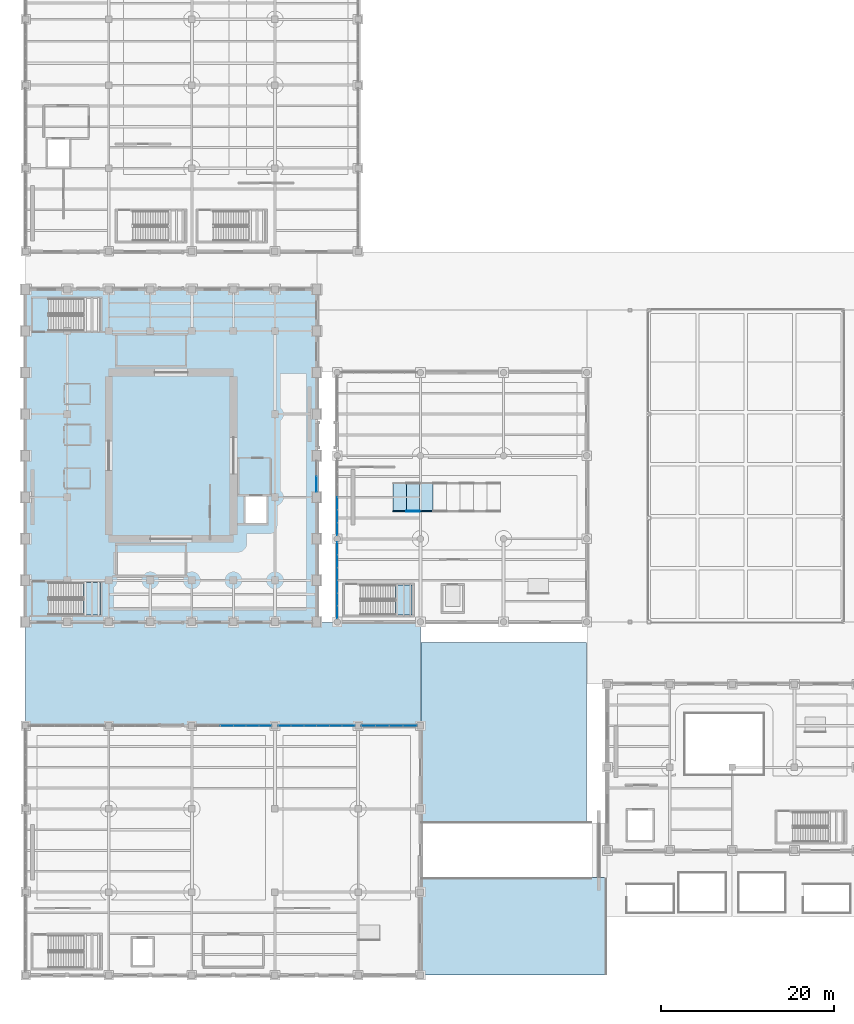
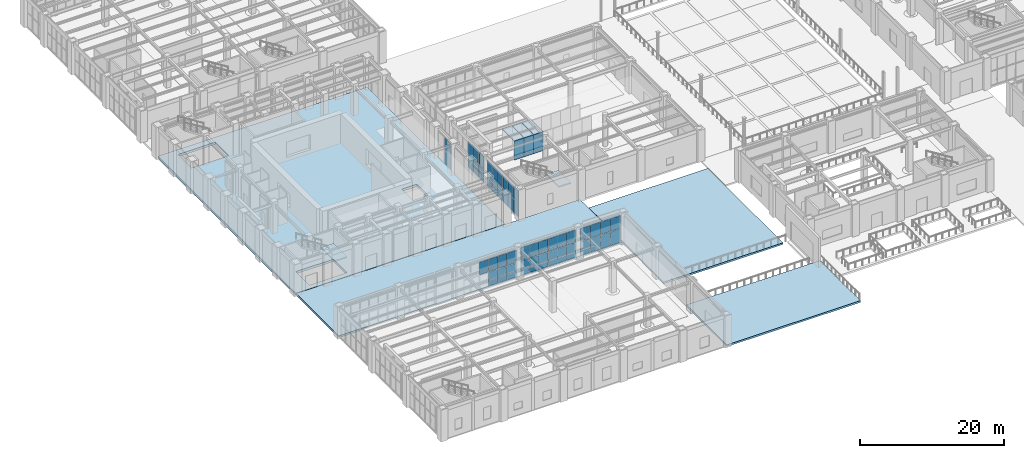
# One storey, part 116 of 164: 53 plates, 6 slabs, 8 elements without a shape of their own.
"""IFC4 building model written with IfcOpenShell, lengths in metres."""

from ifc_helpers import new_model, si_unit, direction, frame, origin, origin_2d, place, context, subcontext, project, spatial, polyline, rectangle, outline, extrude, material, layer, layer_set, type_object, element, aggregate, save


model = new_model("IFC4")

# Units and contexts
model_context = context("Model", 3, precision=1e-05, world=origin(), true_north=direction((0.0, 1.0)))
body_context = subcontext(model_context, "Body", "Model", "MODEL_VIEW")
ifc_project = project(units=[si_unit("LENGTHUNIT", "METRE"), si_unit("AREAUNIT", "SQUARE_METRE"), si_unit("VOLUMEUNIT", "CUBIC_METRE"), si_unit("PLANEANGLEUNIT", "RADIAN"), si_unit("MASSUNIT", "GRAM", prefix="KILO")], contexts=[model_context])

# Site, building, storey
site_placement = place(None, origin())
site = spatial("IfcSite", under=ifc_project, at=site_placement, CompositionType="ELEMENT")
building_placement = place(site_placement, origin())
building = spatial("IfcBuilding", under=site, at=building_placement, Name="Mavantir Sound Aquarium", CompositionType="ELEMENT")
storey_placement = place(building_placement, origin())
storey = spatial("IfcBuildingStorey", under=building, at=storey_placement, Name="L00", CompositionType="ELEMENT", Elevation=0.0)

# Curtain wall, plates
ifc_material_1 = material(Name="Anodised Marine Aluminium and Low-E Glass", Category="aluminium")
curtain_wall_type_1 = type_object("IfcCurtainWallType", Name="CW-T01", PredefinedType="USERDEFINED", material=ifc_material_1)
curtain_wall_1_placement = place(storey_placement, origin())
curtain_wall_1 = element("IfcCurtainWall", 1, at=curtain_wall_1_placement, inside=storey, type_object=curtain_wall_type_1, Name="L00 unitised curtain wall CW-01 1", ObjectType="UNITISED GLAZING", PredefinedType="USERDEFINED")
ifc_material_2 = material(Name="Solar-Control Laminated Low-E Glass", Category="glass")
ifc_layer_1 = layer(ifc_material_2, 0.028076171875, Name="Solar-Control Laminated Low-E Glass")
ifc_layer_set_1 = layer_set([ifc_layer_1], Name="Solar-Control Laminated Low-E Glass")
plate_type_1 = type_object("IfcPlateType", Name="CW-PNL-28", PredefinedType="CURTAIN_PANEL", material=ifc_layer_set_1)
plate_1_placement = place(storey_placement, frame((33.60009765625, 56.7041015625, 0.10302734375), z_axis=(0.0, 0.0, 1.0), x_axis=(0.0, 1.0, 0.0)))
plate_1 = element("IfcPlate", 2, at=plate_1_placement, type_object=plate_type_1, Name="CW-L00-001 glazed curtain panel 1.1", PredefinedType="CURTAIN_PANEL", context=body_context, shape_type="SweptSolid", body=[
    extrude(rectangle(XDim=1.743896484375, YDim=0.028076171875, at=origin_2d()), origin(), (0.0, 0.0, 1.0), 2.271240234375),
])
plate_2_placement = place(storey_placement, frame((33.60009765625, 56.7041015625, 2.47021484375), z_axis=(0.0, 0.0, 1.0), x_axis=(0.0, 1.0, 0.0)))
plate_2 = element("IfcPlate", 3, at=plate_2_placement, type_object=plate_type_1, Name="CW-L00-001 glazed curtain panel 1.2", PredefinedType="CURTAIN_PANEL", context=body_context, shape_type="SweptSolid", body=[
    extrude(rectangle(XDim=1.743896484375, YDim=0.028076171875, at=origin_2d()), origin(), (0.0, 0.0, 1.0), 2.084716796875),
])
aggregate(curtain_wall_1, [plate_1, plate_2])

curtain_wall_type_2 = type_object("IfcCurtainWallType", Name="CW-T05", PredefinedType="USERDEFINED", material=ifc_material_1)
curtain_wall_2_placement = place(storey_placement, origin())
curtain_wall_2 = element("IfcCurtainWall", 4, at=curtain_wall_2_placement, inside=storey, type_object=curtain_wall_type_2, Name="L00 unitised curtain wall CW-05 5", ObjectType="UNITISED GLAZING", PredefinedType="USERDEFINED")
plate_3_placement = place(storey_placement, frame((36.0, 49.28076171875, 0.10302734375), z_axis=(0.0, 0.0, 1.0), x_axis=(0.0, -1.0, 0.0)))
plate_3 = element("IfcPlate", 5, at=plate_3_placement, type_object=plate_type_1, Name="CW-L00-005 glazed curtain panel 1.1", PredefinedType="CURTAIN_PANEL", context=body_context, shape_type="SweptSolid", body=[
    extrude(rectangle(XDim=1.42431640625, YDim=0.028076171875, at=origin_2d()), origin(), (0.0, 0.0, 1.0), 2.2666015625),
])
plate_4_placement = place(storey_placement, frame((36.0, 49.28076171875, 2.46533203125), z_axis=(0.0, 0.0, 1.0), x_axis=(0.0, -1.0, 0.0)))
plate_4 = element("IfcPlate", 6, at=plate_4_placement, type_object=plate_type_1, Name="CW-L00-005 glazed curtain panel 1.2", PredefinedType="CURTAIN_PANEL", context=body_context, shape_type="SweptSolid", body=[
    extrude(rectangle(XDim=1.42431640625, YDim=0.028076171875, at=origin_2d()), origin(), (0.0, 0.0, 1.0), 2.08056640625),
])
plate_5_placement = place(storey_placement, frame((36.0, 47.80859375, 0.10302734375), z_axis=(0.0, 0.0, 1.0), x_axis=(0.0, -1.0, 0.0)))
plate_5 = element("IfcPlate", 7, at=plate_5_placement, type_object=plate_type_1, Name="CW-L00-005 glazed curtain panel 2.1", PredefinedType="CURTAIN_PANEL", context=body_context, shape_type="SweptSolid", body=[
    extrude(rectangle(XDim=1.42431640625, YDim=0.028076171875, at=origin_2d()), origin(), (0.0, 0.0, 1.0), 2.2666015625),
])
plate_6_placement = place(storey_placement, frame((36.0, 47.80859375, 2.46533203125), z_axis=(0.0, 0.0, 1.0), x_axis=(0.0, -1.0, 0.0)))
plate_6 = element("IfcPlate", 8, at=plate_6_placement, type_object=plate_type_1, Name="CW-L00-005 glazed curtain panel 2.2", PredefinedType="CURTAIN_PANEL", context=body_context, shape_type="SweptSolid", body=[
    extrude(rectangle(XDim=1.42431640625, YDim=0.028076171875, at=origin_2d()), origin(), (0.0, 0.0, 1.0), 2.08056640625),
])
plate_7_placement = place(storey_placement, frame((36.0, 46.336181640625, 0.10302734375), z_axis=(0.0, 0.0, 1.0), x_axis=(0.0, -1.0, 0.0)))
plate_7 = element("IfcPlate", 9, at=plate_7_placement, type_object=plate_type_1, Name="CW-L00-005 glazed curtain panel 3.1", PredefinedType="CURTAIN_PANEL", context=body_context, shape_type="SweptSolid", body=[
    extrude(rectangle(XDim=1.42431640625, YDim=0.028076171875, at=origin_2d()), origin(), (0.0, 0.0, 1.0), 2.2666015625),
])
plate_8_placement = place(storey_placement, frame((36.0, 46.336181640625, 2.46533203125), z_axis=(0.0, 0.0, 1.0), x_axis=(0.0, -1.0, 0.0)))
plate_8 = element("IfcPlate", 10, at=plate_8_placement, type_object=plate_type_1, Name="CW-L00-005 glazed curtain panel 3.2", PredefinedType="CURTAIN_PANEL", context=body_context, shape_type="SweptSolid", body=[
    extrude(rectangle(XDim=1.42431640625, YDim=0.028076171875, at=origin_2d()), origin(), (0.0, 0.0, 1.0), 2.08056640625),
])
plate_9_placement = place(storey_placement, frame((36.0, 44.86376953125, 0.10302734375), z_axis=(0.0, 0.0, 1.0), x_axis=(0.0, -1.0, 0.0)))
plate_9 = element("IfcPlate", 11, at=plate_9_placement, type_object=plate_type_1, Name="CW-L00-005 glazed curtain panel 4.1", PredefinedType="CURTAIN_PANEL", context=body_context, shape_type="SweptSolid", body=[
    extrude(rectangle(XDim=1.42431640625, YDim=0.028076171875, at=origin_2d()), origin(), (0.0, 0.0, 1.0), 2.2666015625),
])
plate_10_placement = place(storey_placement, frame((36.0, 44.86376953125, 2.46533203125), z_axis=(0.0, 0.0, 1.0), x_axis=(0.0, -1.0, 0.0)))
plate_10 = element("IfcPlate", 12, at=plate_10_placement, type_object=plate_type_1, Name="CW-L00-005 glazed curtain panel 4.2", PredefinedType="CURTAIN_PANEL", context=body_context, shape_type="SweptSolid", body=[
    extrude(rectangle(XDim=1.42431640625, YDim=0.028076171875, at=origin_2d()), origin(), (0.0, 0.0, 1.0), 2.08056640625),
])
plate_11_placement = place(storey_placement, frame((36.0, 43.3916015625, 0.10302734375), z_axis=(0.0, 0.0, 1.0), x_axis=(0.0, -1.0, 0.0)))
plate_11 = element("IfcPlate", 13, at=plate_11_placement, type_object=plate_type_1, Name="CW-L00-005 glazed curtain panel 5.1", PredefinedType="CURTAIN_PANEL", context=body_context, shape_type="SweptSolid", body=[
    extrude(rectangle(XDim=1.42431640625, YDim=0.028076171875, at=origin_2d()), origin(), (0.0, 0.0, 1.0), 2.2666015625),
])
plate_12_placement = place(storey_placement, frame((36.0, 43.3916015625, 2.46533203125), z_axis=(0.0, 0.0, 1.0), x_axis=(0.0, -1.0, 0.0)))
plate_12 = element("IfcPlate", 14, at=plate_12_placement, type_object=plate_type_1, Name="CW-L00-005 glazed curtain panel 5.2", PredefinedType="CURTAIN_PANEL", context=body_context, shape_type="SweptSolid", body=[
    extrude(rectangle(XDim=1.42431640625, YDim=0.028076171875, at=origin_2d()), origin(), (0.0, 0.0, 1.0), 2.08056640625),
])
plate_13_placement = place(storey_placement, frame((36.0, 41.919189453125, 0.10302734375), z_axis=(0.0, 0.0, 1.0), x_axis=(0.0, -1.0, 0.0)))
plate_13 = element("IfcPlate", 15, at=plate_13_placement, type_object=plate_type_1, Name="CW-L00-005 glazed curtain panel 6.1", PredefinedType="CURTAIN_PANEL", context=body_context, shape_type="SweptSolid", body=[
    extrude(rectangle(XDim=1.42431640625, YDim=0.028076171875, at=origin_2d()), origin(), (0.0, 0.0, 1.0), 2.2666015625),
])
plate_14_placement = place(storey_placement, frame((36.0, 41.919189453125, 2.46533203125), z_axis=(0.0, 0.0, 1.0), x_axis=(0.0, -1.0, 0.0)))
plate_14 = element("IfcPlate", 16, at=plate_14_placement, type_object=plate_type_1, Name="CW-L00-005 glazed curtain panel 6.2", PredefinedType="CURTAIN_PANEL", context=body_context, shape_type="SweptSolid", body=[
    extrude(rectangle(XDim=1.42431640625, YDim=0.028076171875, at=origin_2d()), origin(), (0.0, 0.0, 1.0), 2.08056640625),
])
aggregate(curtain_wall_2, [plate_3, plate_4, plate_5, plate_6, plate_7, plate_8, plate_9, plate_10, plate_11, plate_12, plate_13, plate_14])

curtain_wall_type_3 = type_object("IfcCurtainWallType", Name="CW-T07", PredefinedType="USERDEFINED", material=ifc_material_1)
curtain_wall_3_placement = place(storey_placement, origin())
curtain_wall_3 = element("IfcCurtainWall", 17, at=curtain_wall_3_placement, inside=storey, type_object=curtain_wall_type_3, Name="L00 unitised curtain wall CW-07 7", ObjectType="UNITISED GLAZING", PredefinedType="USERDEFINED")
plate_15_placement = place(storey_placement, frame((37.28076171875, 28.800048828125, 0.10302734375), z_axis=(0.0, 0.0, 1.0), x_axis=(-1.0, 0.0, 0.0)))
plate_15 = element("IfcPlate", 18, at=plate_15_placement, type_object=plate_type_1, Name="CW-L00-007 glazed curtain panel 1.1", PredefinedType="CURTAIN_PANEL", context=body_context, shape_type="SweptSolid", body=[
    extrude(rectangle(XDim=1.42431640625, YDim=0.028076171875, at=origin_2d()), origin(), (0.0, 0.0, 1.0), 2.377685546875),
])
plate_16_placement = place(storey_placement, frame((37.28076171875, 28.800048828125, 2.576904296875), z_axis=(0.0, 0.0, 1.0), x_axis=(-1.0, 0.0, 0.0)))
plate_16 = element("IfcPlate", 19, at=plate_16_placement, type_object=plate_type_1, Name="CW-L00-007 glazed curtain panel 1.2", PredefinedType="CURTAIN_PANEL", context=body_context, shape_type="SweptSolid", body=[
    extrude(rectangle(XDim=1.42431640625, YDim=0.028076171875, at=origin_2d()), origin(), (0.0, 0.0, 1.0), 2.18310546875),
])
plate_17_placement = place(storey_placement, frame((35.80859375, 28.800048828125, 0.10302734375), z_axis=(0.0, 0.0, 1.0), x_axis=(-1.0, 0.0, 0.0)))
plate_17 = element("IfcPlate", 20, at=plate_17_placement, type_object=plate_type_1, Name="CW-L00-007 glazed curtain panel 2.1", PredefinedType="CURTAIN_PANEL", context=body_context, shape_type="SweptSolid", body=[
    extrude(rectangle(XDim=1.42431640625, YDim=0.028076171875, at=origin_2d()), origin(), (0.0, 0.0, 1.0), 2.377685546875),
])
plate_18_placement = place(storey_placement, frame((35.80859375, 28.800048828125, 2.576904296875), z_axis=(0.0, 0.0, 1.0), x_axis=(-1.0, 0.0, 0.0)))
plate_18 = element("IfcPlate", 21, at=plate_18_placement, type_object=plate_type_1, Name="CW-L00-007 glazed curtain panel 2.2", PredefinedType="CURTAIN_PANEL", context=body_context, shape_type="SweptSolid", body=[
    extrude(rectangle(XDim=1.42431640625, YDim=0.028076171875, at=origin_2d()), origin(), (0.0, 0.0, 1.0), 2.18310546875),
])
plate_19_placement = place(storey_placement, frame((34.336181640625, 28.800048828125, 0.10302734375), z_axis=(0.0, 0.0, 1.0), x_axis=(-1.0, 0.0, 0.0)))
plate_19 = element("IfcPlate", 22, at=plate_19_placement, type_object=plate_type_1, Name="CW-L00-007 glazed curtain panel 3.1", PredefinedType="CURTAIN_PANEL", context=body_context, shape_type="SweptSolid", body=[
    extrude(rectangle(XDim=1.42431640625, YDim=0.028076171875, at=origin_2d()), origin(), (0.0, 0.0, 1.0), 2.377685546875),
])
plate_20_placement = place(storey_placement, frame((34.336181640625, 28.800048828125, 2.576904296875), z_axis=(0.0, 0.0, 1.0), x_axis=(-1.0, 0.0, 0.0)))
plate_20 = element("IfcPlate", 23, at=plate_20_placement, type_object=plate_type_1, Name="CW-L00-007 glazed curtain panel 3.2", PredefinedType="CURTAIN_PANEL", context=body_context, shape_type="SweptSolid", body=[
    extrude(rectangle(XDim=1.42431640625, YDim=0.028076171875, at=origin_2d()), origin(), (0.0, 0.0, 1.0), 2.18310546875),
])
plate_21_placement = place(storey_placement, frame((32.86376953125, 28.800048828125, 0.10302734375), z_axis=(0.0, 0.0, 1.0), x_axis=(-1.0, 0.0, 0.0)))
plate_21 = element("IfcPlate", 24, at=plate_21_placement, type_object=plate_type_1, Name="CW-L00-007 glazed curtain panel 4.1", PredefinedType="CURTAIN_PANEL", context=body_context, shape_type="SweptSolid", body=[
    extrude(rectangle(XDim=1.42431640625, YDim=0.028076171875, at=origin_2d()), origin(), (0.0, 0.0, 1.0), 2.377685546875),
])
plate_22_placement = place(storey_placement, frame((32.86376953125, 28.800048828125, 2.576904296875), z_axis=(0.0, 0.0, 1.0), x_axis=(-1.0, 0.0, 0.0)))
plate_22 = element("IfcPlate", 25, at=plate_22_placement, type_object=plate_type_1, Name="CW-L00-007 glazed curtain panel 4.2", PredefinedType="CURTAIN_PANEL", context=body_context, shape_type="SweptSolid", body=[
    extrude(rectangle(XDim=1.42431640625, YDim=0.028076171875, at=origin_2d()), origin(), (0.0, 0.0, 1.0), 2.18310546875),
])
plate_23_placement = place(storey_placement, frame((31.3916015625, 28.800048828125, 0.10302734375), z_axis=(0.0, 0.0, 1.0), x_axis=(-1.0, 0.0, 0.0)))
plate_23 = element("IfcPlate", 26, at=plate_23_placement, type_object=plate_type_1, Name="CW-L00-007 glazed curtain panel 5.1", PredefinedType="CURTAIN_PANEL", context=body_context, shape_type="SweptSolid", body=[
    extrude(rectangle(XDim=1.42431640625, YDim=0.028076171875, at=origin_2d()), origin(), (0.0, 0.0, 1.0), 2.377685546875),
])
plate_24_placement = place(storey_placement, frame((31.3916015625, 28.800048828125, 2.576904296875), z_axis=(0.0, 0.0, 1.0), x_axis=(-1.0, 0.0, 0.0)))
plate_24 = element("IfcPlate", 27, at=plate_24_placement, type_object=plate_type_1, Name="CW-L00-007 glazed curtain panel 5.2", PredefinedType="CURTAIN_PANEL", context=body_context, shape_type="SweptSolid", body=[
    extrude(rectangle(XDim=1.42431640625, YDim=0.028076171875, at=origin_2d()), origin(), (0.0, 0.0, 1.0), 2.18310546875),
])
plate_25_placement = place(storey_placement, frame((29.919189453125, 28.800048828125, 0.10302734375), z_axis=(0.0, 0.0, 1.0), x_axis=(-1.0, 0.0, 0.0)))
plate_25 = element("IfcPlate", 28, at=plate_25_placement, type_object=plate_type_1, Name="CW-L00-007 glazed curtain panel 6.1", PredefinedType="CURTAIN_PANEL", context=body_context, shape_type="SweptSolid", body=[
    extrude(rectangle(XDim=1.42431640625, YDim=0.028076171875, at=origin_2d()), origin(), (0.0, 0.0, 1.0), 2.377685546875),
])
plate_26_placement = place(storey_placement, frame((29.919189453125, 28.800048828125, 2.576904296875), z_axis=(0.0, 0.0, 1.0), x_axis=(-1.0, 0.0, 0.0)))
plate_26 = element("IfcPlate", 29, at=plate_26_placement, type_object=plate_type_1, Name="CW-L00-007 glazed curtain panel 6.2", PredefinedType="CURTAIN_PANEL", context=body_context, shape_type="SweptSolid", body=[
    extrude(rectangle(XDim=1.42431640625, YDim=0.028076171875, at=origin_2d()), origin(), (0.0, 0.0, 1.0), 2.18310546875),
])
aggregate(curtain_wall_3, [plate_15, plate_16, plate_17, plate_18, plate_19, plate_20, plate_21, plate_22, plate_23, plate_24, plate_25, plate_26])

curtain_wall_type_4 = type_object("IfcCurtainWallType", Name="CW-T04", PredefinedType="USERDEFINED", material=ifc_material_1)
curtain_wall_4_placement = place(storey_placement, origin())
curtain_wall_4 = element("IfcCurtainWall", 30, at=curtain_wall_4_placement, inside=storey, type_object=curtain_wall_type_4, Name="L00 unitised curtain wall CW-04 4", ObjectType="UNITISED GLAZING", PredefinedType="USERDEFINED")
ifc_layer_2 = layer(ifc_material_2, 0.031982421875, Name="Solar-Control Laminated Low-E Glass")
ifc_layer_set_2 = layer_set([ifc_layer_2], Name="Solar-Control Laminated Low-E Glass")
plate_type_2 = type_object("IfcPlateType", Name="CW-PNL-32", PredefinedType="CURTAIN_PANEL", material=ifc_layer_set_2)
plate_27_placement = place(storey_placement, frame((36.0, 54.4638671875, 0.10302734375), z_axis=(0.0, 0.0, 1.0), x_axis=(0.0, -1.0, 0.0)))
plate_27 = element("IfcPlate", 31, at=plate_27_placement, type_object=plate_type_2, Name="CW-L00-004 glazed curtain panel 4.1", PredefinedType="CURTAIN_PANEL", context=body_context, shape_type="SweptSolid", body=[
    extrude(rectangle(XDim=1.42431640625, YDim=0.031982421875, at=origin_2d()), origin(), (0.0, 0.0, 1.0), 2.2666015625),
])
plate_28_placement = place(storey_placement, frame((36.0, 54.4638671875, 2.46533203125), z_axis=(0.0, 0.0, 1.0), x_axis=(0.0, -1.0, 0.0)))
plate_28 = element("IfcPlate", 32, at=plate_28_placement, type_object=plate_type_2, Name="CW-L00-004 glazed curtain panel 4.2", PredefinedType="CURTAIN_PANEL", context=body_context, shape_type="SweptSolid", body=[
    extrude(rectangle(XDim=1.42431640625, YDim=0.031982421875, at=origin_2d()), origin(), (0.0, 0.0, 1.0), 2.08056640625),
])
plate_29_placement = place(storey_placement, frame((36.0, 52.991455078125, 0.10302734375), z_axis=(0.0, 0.0, 1.0), x_axis=(0.0, -1.0, 0.0)))
plate_29 = element("IfcPlate", 33, at=plate_29_placement, type_object=plate_type_2, Name="CW-L00-004 glazed curtain panel 5.1", PredefinedType="CURTAIN_PANEL", context=body_context, shape_type="SweptSolid", body=[
    extrude(rectangle(XDim=1.42431640625, YDim=0.031982421875, at=origin_2d()), origin(), (0.0, 0.0, 1.0), 2.2666015625),
])
plate_30_placement = place(storey_placement, frame((36.0, 52.991455078125, 2.46533203125), z_axis=(0.0, 0.0, 1.0), x_axis=(0.0, -1.0, 0.0)))
plate_30 = element("IfcPlate", 34, at=plate_30_placement, type_object=plate_type_2, Name="CW-L00-004 glazed curtain panel 5.2", PredefinedType="CURTAIN_PANEL", context=body_context, shape_type="SweptSolid", body=[
    extrude(rectangle(XDim=1.42431640625, YDim=0.031982421875, at=origin_2d()), origin(), (0.0, 0.0, 1.0), 2.08056640625),
])
plate_31_placement = place(storey_placement, frame((36.0, 51.519287109375, 0.10302734375), z_axis=(0.0, 0.0, 1.0), x_axis=(0.0, -1.0, 0.0)))
plate_31 = element("IfcPlate", 35, at=plate_31_placement, type_object=plate_type_2, Name="CW-L00-004 glazed curtain panel 6.1", PredefinedType="CURTAIN_PANEL", context=body_context, shape_type="SweptSolid", body=[
    extrude(rectangle(XDim=1.42431640625, YDim=0.031982421875, at=origin_2d()), origin(), (0.0, 0.0, 1.0), 2.2666015625),
])
plate_32_placement = place(storey_placement, frame((36.0, 51.519287109375, 2.46533203125), z_axis=(0.0, 0.0, 1.0), x_axis=(0.0, -1.0, 0.0)))
plate_32 = element("IfcPlate", 36, at=plate_32_placement, type_object=plate_type_2, Name="CW-L00-004 glazed curtain panel 6.2", PredefinedType="CURTAIN_PANEL", context=body_context, shape_type="SweptSolid", body=[
    extrude(rectangle(XDim=1.42431640625, YDim=0.031982421875, at=origin_2d()), origin(), (0.0, 0.0, 1.0), 2.08056640625),
])
aggregate(curtain_wall_4, [plate_27, plate_28, plate_29, plate_30, plate_31, plate_32])

curtain_wall_type_5 = type_object("IfcCurtainWallType", Name="CW-T06", PredefinedType="USERDEFINED", material=ifc_material_1)
curtain_wall_5_placement = place(storey_placement, origin())
curtain_wall_5 = element("IfcCurtainWall", 37, at=curtain_wall_5_placement, inside=storey, type_object=curtain_wall_type_5, Name="L00 unitised curtain wall CW-06 6", ObjectType="UNITISED GLAZING", PredefinedType="USERDEFINED")
plate_33_placement = place(storey_placement, frame((44.412841796875, 28.800048828125, 0.10302734375), z_axis=(0.0, 0.0, 1.0), x_axis=(-1.0, 0.0, 0.0)))
plate_33 = element("IfcPlate", 38, at=plate_33_placement, type_object=plate_type_2, Name="CW-L00-006 glazed curtain panel 1.1", PredefinedType="CURTAIN_PANEL", context=body_context, shape_type="SweptSolid", body=[
    extrude(rectangle(XDim=1.560546875, YDim=0.031982421875, at=origin_2d()), origin(), (0.0, 0.0, 1.0), 2.33349609375),
])
plate_34_placement = place(storey_placement, frame((44.412841796875, 28.800048828125, 2.53271484375), z_axis=(0.0, 0.0, 1.0), x_axis=(-1.0, 0.0, 0.0)))
plate_34 = element("IfcPlate", 39, at=plate_34_placement, type_object=plate_type_2, Name="CW-L00-006 glazed curtain panel 1.2", PredefinedType="CURTAIN_PANEL", context=body_context, shape_type="SweptSolid", body=[
    extrude(rectangle(XDim=1.560546875, YDim=0.031982421875, at=origin_2d()), origin(), (0.0, 0.0, 1.0), 2.142333984375),
])
plate_35_placement = place(storey_placement, frame((42.80419921875, 28.800048828125, 0.10302734375), z_axis=(0.0, 0.0, 1.0), x_axis=(-1.0, 0.0, 0.0)))
plate_35 = element("IfcPlate", 40, at=plate_35_placement, type_object=plate_type_2, Name="CW-L00-006 glazed curtain panel 2.1", PredefinedType="CURTAIN_PANEL", context=body_context, shape_type="SweptSolid", body=[
    extrude(rectangle(XDim=1.560546875, YDim=0.031982421875, at=origin_2d()), origin(), (0.0, 0.0, 1.0), 2.33349609375),
])
plate_36_placement = place(storey_placement, frame((42.80419921875, 28.800048828125, 2.53271484375), z_axis=(0.0, 0.0, 1.0), x_axis=(-1.0, 0.0, 0.0)))
plate_36 = element("IfcPlate", 41, at=plate_36_placement, type_object=plate_type_2, Name="CW-L00-006 glazed curtain panel 2.2", PredefinedType="CURTAIN_PANEL", context=body_context, shape_type="SweptSolid", body=[
    extrude(rectangle(XDim=1.560546875, YDim=0.031982421875, at=origin_2d()), origin(), (0.0, 0.0, 1.0), 2.142333984375),
])
plate_37_placement = place(storey_placement, frame((41.19580078125, 28.800048828125, 0.10302734375), z_axis=(0.0, 0.0, 1.0), x_axis=(-1.0, 0.0, 0.0)))
plate_37 = element("IfcPlate", 42, at=plate_37_placement, type_object=plate_type_2, Name="CW-L00-006 glazed curtain panel 3.1", PredefinedType="CURTAIN_PANEL", context=body_context, shape_type="SweptSolid", body=[
    extrude(rectangle(XDim=1.560546875, YDim=0.031982421875, at=origin_2d()), origin(), (0.0, 0.0, 1.0), 2.33349609375),
])
plate_38_placement = place(storey_placement, frame((41.19580078125, 28.800048828125, 2.53271484375), z_axis=(0.0, 0.0, 1.0), x_axis=(-1.0, 0.0, 0.0)))
plate_38 = element("IfcPlate", 43, at=plate_38_placement, type_object=plate_type_2, Name="CW-L00-006 glazed curtain panel 3.2", PredefinedType="CURTAIN_PANEL", context=body_context, shape_type="SweptSolid", body=[
    extrude(rectangle(XDim=1.560546875, YDim=0.031982421875, at=origin_2d()), origin(), (0.0, 0.0, 1.0), 2.142333984375),
])
plate_39_placement = place(storey_placement, frame((39.587158203125, 28.800048828125, 0.10302734375), z_axis=(0.0, 0.0, 1.0), x_axis=(-1.0, 0.0, 0.0)))
plate_39 = element("IfcPlate", 44, at=plate_39_placement, type_object=plate_type_2, Name="CW-L00-006 glazed curtain panel 4.1", PredefinedType="CURTAIN_PANEL", context=body_context, shape_type="SweptSolid", body=[
    extrude(rectangle(XDim=1.560546875, YDim=0.031982421875, at=origin_2d()), origin(), (0.0, 0.0, 1.0), 2.33349609375),
])
plate_40_placement = place(storey_placement, frame((39.587158203125, 28.800048828125, 2.53271484375), z_axis=(0.0, 0.0, 1.0), x_axis=(-1.0, 0.0, 0.0)))
plate_40 = element("IfcPlate", 45, at=plate_40_placement, type_object=plate_type_2, Name="CW-L00-006 glazed curtain panel 4.2", PredefinedType="CURTAIN_PANEL", context=body_context, shape_type="SweptSolid", body=[
    extrude(rectangle(XDim=1.560546875, YDim=0.031982421875, at=origin_2d()), origin(), (0.0, 0.0, 1.0), 2.142333984375),
])
aggregate(curtain_wall_5, [plate_33, plate_34, plate_35, plate_36, plate_37, plate_38, plate_39, plate_40])

curtain_wall_type_6 = type_object("IfcCurtainWallType", Name="CW-T08", PredefinedType="USERDEFINED", material=ifc_material_1)
curtain_wall_6_placement = place(storey_placement, origin())
curtain_wall_6 = element("IfcCurtainWall", 46, at=curtain_wall_6_placement, inside=storey, type_object=curtain_wall_type_6, Name="L00 unitised curtain wall CW-08 8", ObjectType="UNITISED GLAZING", PredefinedType="USERDEFINED")
plate_41_placement = place(storey_placement, frame((27.680908203125, 28.800048828125, 0.10302734375), z_axis=(0.0, 0.0, 1.0), x_axis=(-1.0, 0.0, 0.0)))
plate_41 = element("IfcPlate", 47, at=plate_41_placement, type_object=plate_type_2, Name="CW-L00-008 glazed curtain panel 1.1", PredefinedType="CURTAIN_PANEL", context=body_context, shape_type="SweptSolid", body=[
    extrude(rectangle(XDim=1.42431640625, YDim=0.031982421875, at=origin_2d()), origin(), (0.0, 0.0, 1.0), 2.3232421875),
])
plate_42_placement = place(storey_placement, frame((27.680908203125, 28.800048828125, 2.522216796875), z_axis=(0.0, 0.0, 1.0), x_axis=(-1.0, 0.0, 0.0)))
plate_42 = element("IfcPlate", 48, at=plate_42_placement, type_object=plate_type_2, Name="CW-L00-008 glazed curtain panel 1.2", PredefinedType="CURTAIN_PANEL", context=body_context, shape_type="SweptSolid", body=[
    extrude(rectangle(XDim=1.42431640625, YDim=0.031982421875, at=origin_2d()), origin(), (0.0, 0.0, 1.0), 2.1328125),
])
plate_43_placement = place(storey_placement, frame((26.20849609375, 28.800048828125, 0.10302734375), z_axis=(0.0, 0.0, 1.0), x_axis=(-1.0, 0.0, 0.0)))
plate_43 = element("IfcPlate", 49, at=plate_43_placement, type_object=plate_type_2, Name="CW-L00-008 glazed curtain panel 2.1", PredefinedType="CURTAIN_PANEL", context=body_context, shape_type="SweptSolid", body=[
    extrude(rectangle(XDim=1.42431640625, YDim=0.031982421875, at=origin_2d()), origin(), (0.0, 0.0, 1.0), 2.3232421875),
])
plate_44_placement = place(storey_placement, frame((26.20849609375, 28.800048828125, 2.522216796875), z_axis=(0.0, 0.0, 1.0), x_axis=(-1.0, 0.0, 0.0)))
plate_44 = element("IfcPlate", 50, at=plate_44_placement, type_object=plate_type_2, Name="CW-L00-008 glazed curtain panel 2.2", PredefinedType="CURTAIN_PANEL", context=body_context, shape_type="SweptSolid", body=[
    extrude(rectangle(XDim=1.42431640625, YDim=0.031982421875, at=origin_2d()), origin(), (0.0, 0.0, 1.0), 2.1328125),
])
plate_45_placement = place(storey_placement, frame((24.736083984375, 28.800048828125, 0.10302734375), z_axis=(0.0, 0.0, 1.0), x_axis=(-1.0, 0.0, 0.0)))
plate_45 = element("IfcPlate", 51, at=plate_45_placement, type_object=plate_type_2, Name="CW-L00-008 glazed curtain panel 3.1", PredefinedType="CURTAIN_PANEL", context=body_context, shape_type="SweptSolid", body=[
    extrude(rectangle(XDim=1.42431640625, YDim=0.031982421875, at=origin_2d()), origin(), (0.0, 0.0, 1.0), 2.3232421875),
])
plate_46_placement = place(storey_placement, frame((24.736083984375, 28.800048828125, 2.522216796875), z_axis=(0.0, 0.0, 1.0), x_axis=(-1.0, 0.0, 0.0)))
plate_46 = element("IfcPlate", 52, at=plate_46_placement, type_object=plate_type_2, Name="CW-L00-008 glazed curtain panel 3.2", PredefinedType="CURTAIN_PANEL", context=body_context, shape_type="SweptSolid", body=[
    extrude(rectangle(XDim=1.42431640625, YDim=0.031982421875, at=origin_2d()), origin(), (0.0, 0.0, 1.0), 2.1328125),
])
plate_47_placement = place(storey_placement, frame((23.263916015625, 28.800048828125, 2.522216796875), z_axis=(0.0, 0.0, 1.0), x_axis=(-1.0, 0.0, 0.0)))
plate_47 = element("IfcPlate", 53, at=plate_47_placement, type_object=plate_type_2, Name="CW-L00-008 glazed curtain panel 4.2", PredefinedType="CURTAIN_PANEL", context=body_context, shape_type="SweptSolid", body=[
    extrude(rectangle(XDim=1.42431640625, YDim=0.031982421875, at=origin_2d()), origin(), (0.0, 0.0, 1.0), 2.1328125),
])
aggregate(curtain_wall_6, [plate_41, plate_42, plate_43, plate_44, plate_45, plate_46, plate_47])

# Plates
ifc_material_3 = material(Name="Cast Acrylic PMMA Glazing", Category="glass")
ifc_layer_3 = layer(ifc_material_3, 0.10009765625, Name="Cast Acrylic PMMA Glazing")
ifc_layer_set_3 = layer_set([ifc_layer_3], Name="Cast Acrylic PMMA Glazing")
plate_type_3 = type_object("IfcPlateType", Name="PLT-TUNNEL-100", PredefinedType="SHEET", material=ifc_layer_set_3)
plate_48_placement = place(storey_placement, frame((44.75, 53.60009765625, 0.0), z_axis=(0.0, 0.0, 1.0), x_axis=(1.0, 0.0, 0.0)))
element("IfcPlate", 54, at=plate_48_placement, inside=storey, type_object=plate_type_3, Name="Pelagic walkthrough acrylic tunnel wall plate 2A", PredefinedType="SHEET", context=body_context, shape_type="SweptSolid", body=[
    extrude(rectangle(XDim=1.56005859375, YDim=0.10009765625, at=origin_2d()), origin(), (0.0, 0.0, 1.0), 3.199951171875),
])
plate_49_placement = place(storey_placement, frame((44.75, 55.199951171875, 3.199951171875), z_axis=(0.0, 0.0, 1.0), x_axis=(1.0, 0.0, 0.0)))
element("IfcPlate", 55, at=plate_49_placement, inside=storey, type_object=plate_type_3, Name="Pelagic walkthrough acrylic tunnel crown plate 2", PredefinedType="SHEET", context=body_context, shape_type="SweptSolid", body=[
    extrude(rectangle(XDim=1.56005859375, YDim=3.360107421875, at=origin_2d()), origin(), (0.0, 0.0, 1.0), 0.10009765625),
])
ifc_layer_4 = layer(ifc_material_3, 0.1201171875, Name="Cast Acrylic PMMA Glazing")
ifc_layer_set_4 = layer_set([ifc_layer_4], Name="Cast Acrylic PMMA Glazing")
plate_type_4 = type_object("IfcPlateType", Name="PLT-TUNNEL-120", PredefinedType="SHEET", material=ifc_layer_set_4)
plate_50_placement = place(storey_placement, frame((43.199951171875, 53.60009765625, 0.0), z_axis=(0.0, 0.0, 1.0), x_axis=(1.0, 0.0, 0.0)))
element("IfcPlate", 56, at=plate_50_placement, inside=storey, type_object=plate_type_4, Name="Pelagic walkthrough acrylic tunnel wall plate 1A", PredefinedType="SHEET", context=body_context, shape_type="SweptSolid", body=[
    extrude(rectangle(XDim=1.56005859375, YDim=0.1201171875, at=origin_2d()), origin(), (0.0, 0.0, 1.0), 3.199951171875),
])
plate_51_placement = place(storey_placement, frame((43.199951171875, 55.199951171875, 3.199951171875), z_axis=(0.0, 0.0, 1.0), x_axis=(1.0, 0.0, 0.0)))
element("IfcPlate", 57, at=plate_51_placement, inside=storey, type_object=plate_type_4, Name="Pelagic walkthrough acrylic tunnel crown plate 1", PredefinedType="SHEET", context=body_context, shape_type="SweptSolid", body=[
    extrude(rectangle(XDim=1.56005859375, YDim=3.360107421875, at=origin_2d()), origin(), (0.0, 0.0, 1.0), 0.1201171875),
])
plate_52_placement = place(storey_placement, frame((46.300048828125, 53.60009765625, 0.0), z_axis=(0.0, 0.0, 1.0), x_axis=(1.0, 0.0, 0.0)))
element("IfcPlate", 58, at=plate_52_placement, inside=storey, type_object=plate_type_4, Name="Pelagic walkthrough acrylic tunnel wall plate 3A", PredefinedType="SHEET", context=body_context, shape_type="SweptSolid", body=[
    extrude(rectangle(XDim=1.56005859375, YDim=0.1201171875, at=origin_2d()), origin(), (0.0, 0.0, 1.0), 3.199951171875),
])
plate_53_placement = place(storey_placement, frame((46.300048828125, 55.199951171875, 3.199951171875), z_axis=(0.0, 0.0, 1.0), x_axis=(1.0, 0.0, 0.0)))
element("IfcPlate", 59, at=plate_53_placement, inside=storey, type_object=plate_type_4, Name="Pelagic walkthrough acrylic tunnel crown plate 3", PredefinedType="SHEET", context=body_context, shape_type="SweptSolid", body=[
    extrude(rectangle(XDim=1.56005859375, YDim=3.360107421875, at=origin_2d()), origin(), (0.0, 0.0, 1.0), 0.1201171875),
])

# Slabs
ifc_material_4 = material(Name="Concrete C40/50", Category="concrete")
ifc_layer_5 = layer(ifc_material_4, 0.300048828125, Name="Concrete C40/50")
ifc_layer_set_5 = layer_set([ifc_layer_5], Name="Concrete C40/50")
slab_type_1 = type_object("IfcSlabType", Name="SLB-ES-01", PredefinedType="FLOOR", material=ifc_layer_set_5)
slab_1_placement = place(storey_placement, frame((0.0, 0.0, -0.300048828125)))
element("IfcSlab", 60, at=slab_1_placement, inside=storey, type_object=slab_type_1, Name="L00 outdoor apron slab ES-01", PredefinedType="FLOOR", context=body_context, shape_type="SweptSolid", body=[
    extrude(outline(polyline([(0.0, 28.85009765625), (45.60009765625, 28.85009765625), (45.60009765625, 40.75), (0.0, 40.75), (0.0, 28.85009765625)])), origin(), (0.0, 0.0, 1.0), 0.300048828125),
])
slab_2_placement = place(storey_placement, frame((0.0, 0.0, -0.300048828125)))
element("IfcSlab", 61, at=slab_2_placement, inside=storey, type_object=slab_type_1, Name="L00 outdoor apron slab ES-01", PredefinedType="FLOOR", context=body_context, shape_type="SweptSolid", body=[
    extrude(outline(polyline([(45.64990234375, 0.0), (67.14990234375, 0.0), (67.14990234375, 11.25), (45.64990234375, 11.25), (45.64990234375, 0.0)])), origin(), (0.0, 0.0, 1.0), 0.300048828125),
])
slab_3_placement = place(storey_placement, frame((0.0, 0.0, -0.300048828125)))
element("IfcSlab", 62, at=slab_3_placement, inside=storey, type_object=slab_type_1, Name="L00 outdoor apron slab ES-01", PredefinedType="FLOOR", context=body_context, shape_type="SweptSolid", body=[
    extrude(outline(polyline([(45.64990234375, 17.550048828125), (64.800048828125, 17.550048828125), (64.800048828125, 38.39990234375), (45.64990234375, 38.39990234375), (45.64990234375, 17.550048828125)])), origin(), (0.0, 0.0, 1.0), 0.300048828125),
])
ifc_material_5 = material(Name="Concrete C45/55", Category="concrete")
ifc_layer_6 = layer(ifc_material_5, 0.39990234375, Name="Concrete C45/55")
ifc_layer_set_6 = layer_set([ifc_layer_6], Name="Concrete C45/55")
slab_type_2 = type_object("IfcSlabType", Name="SLB-FS-01", PredefinedType="FLOOR", material=ifc_layer_set_6)
slab_4_placement = place(storey_placement, frame((0.0, 0.0, -0.39990234375)))
element("IfcSlab", 63, at=slab_4_placement, inside=storey, type_object=slab_type_2, Name="L00 structural slab FS-01 (V1)", PredefinedType="FLOOR", context=body_context, shape_type="SweptSolid", body=[
    extrude(outline(polyline([(33.60009765625, 40.800048828125), (33.60009765625, 79.199951171875), (0.0, 79.199951171875), (0.0, 40.800048828125), (33.60009765625, 40.800048828125)]), holes=[polyline([(2.64990234375, 41.60009765625), (8.64990234375, 41.60009765625), (8.64990234375, 45.35009765625), (2.64990234375, 45.35009765625), (2.64990234375, 41.60009765625)]), polyline([(2.64990234375, 74.39990234375), (8.64990234375, 74.39990234375), (8.64990234375, 78.14990234375), (2.64990234375, 78.14990234375), (2.64990234375, 74.39990234375)]), polyline([(25.39990234375, 52.199951171875), (27.800048828125, 52.199951171875), (27.800048828125, 55.300048828125), (25.39990234375, 55.300048828125), (25.39990234375, 52.199951171875)])]), origin(), (0.0, 0.0, 1.0), 0.39990234375),
])

# Stair, slab
stair_type_1 = type_object("IfcStairType", Name="STR-1800-5400", PredefinedType="HALF_TURN_STAIR", material=ifc_material_4)
stair_1_placement = place(storey_placement, origin())
stair_1 = element("IfcStair", 64, at=stair_1_placement, inside=storey, type_object=stair_type_1, Name="L00 Protected exit stair ST1", PredefinedType="HALF_TURN_STAIR")
ifc_layer_7 = layer(ifc_material_4, 0.199951171875, Name="Concrete C40/50")
ifc_layer_set_7 = layer_set([ifc_layer_7], Name="Concrete C40/50")
slab_type_3 = type_object("IfcSlabType", Name="SLB-LND-360", PredefinedType="LANDING", material=ifc_layer_set_7)
slab_5_placement = place(storey_placement, frame((0.0, 0.0, 2.5)))
slab_5 = element("IfcSlab", 65, at=slab_5_placement, type_object=slab_type_3, Name="ST1 landing 1", PredefinedType="LANDING", context=body_context, shape_type="SweptSolid", body=[
    extrude(outline(polyline([(6.7099609375, 41.60009765625), (8.64990234375, 41.60009765625), (8.64990234375, 45.35009765625), (6.7099609375, 45.35009765625), (6.7099609375, 41.60009765625)])), origin(), (0.0, 0.0, 1.0), 0.199951171875),
])
aggregate(stair_1, [slab_5])

stair_type_2 = type_object("IfcStairType", Name="STR-1650-5400", PredefinedType="HALF_TURN_STAIR", material=ifc_material_4)
stair_2_placement = place(storey_placement, origin())
stair_2 = element("IfcStair", 66, at=stair_2_placement, inside=storey, type_object=stair_type_2, Name="L00 Protected exit stair ST8", PredefinedType="HALF_TURN_STAIR")
slab_6_placement = place(storey_placement, frame((0.0, 0.0, 2.5)))
slab_6 = element("IfcSlab", 67, at=slab_6_placement, type_object=slab_type_3, Name="ST8 landing 1", PredefinedType="LANDING", context=body_context, shape_type="SweptSolid", body=[
    extrude(outline(polyline([(42.7099609375, 41.60009765625), (44.64990234375, 41.60009765625), (44.64990234375, 45.050048828125), (42.7099609375, 45.050048828125), (42.7099609375, 41.60009765625)])), origin(), (0.0, 0.0, 1.0), 0.199951171875),
])
aggregate(stair_2, [slab_6])

save(model, "model.ifc")
